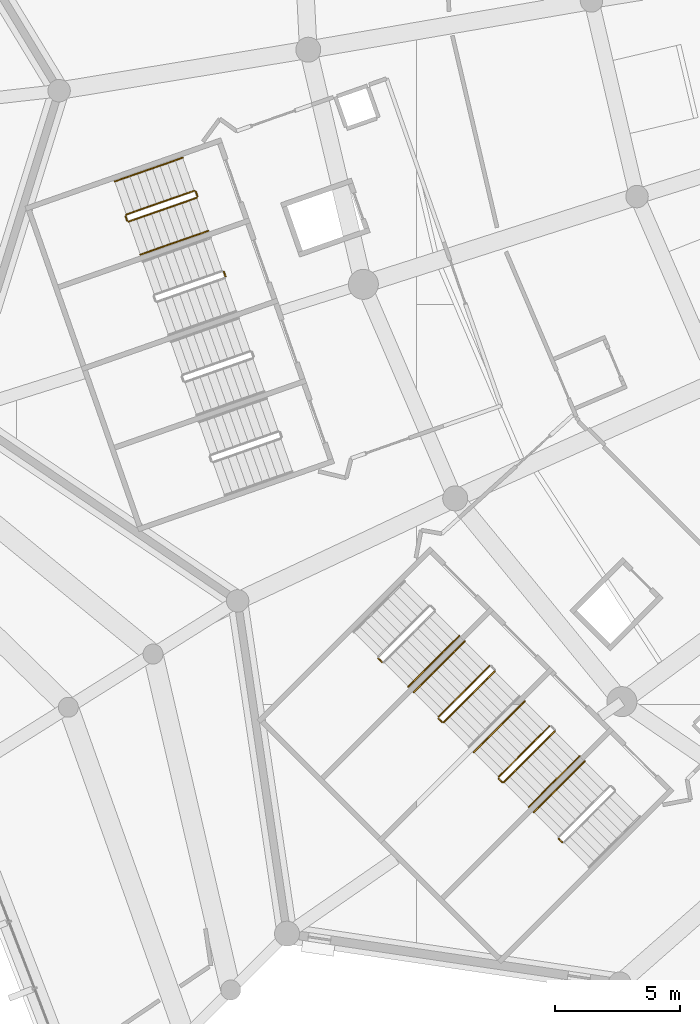
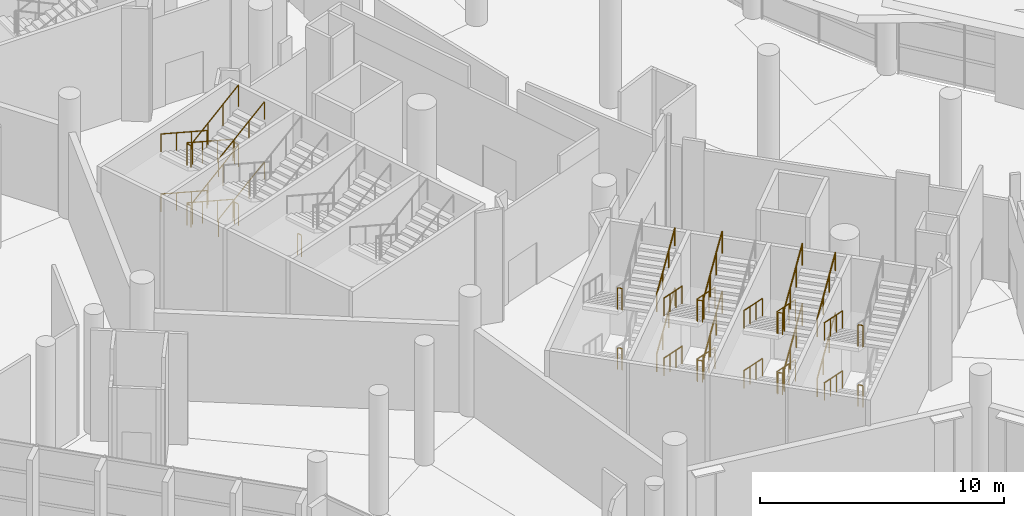
# One storey, part 202 of 249: 39 railings.
"""IFC4 building model written with IfcOpenShell, lengths in metres."""

from ifc_helpers import new_model, si_unit, direction, frame, origin, origin_2d, place, context, subcontext, project, spatial, circle, extrude, material, type_object, element, save


model = new_model("IFC4")

# Units and contexts
model_context = context("Model", 3, precision=1e-05, world=origin(), true_north=direction((0.0, 1.0)))
body_context = subcontext(model_context, "Body", "Model", "MODEL_VIEW")
ifc_project = project(units=[si_unit("LENGTHUNIT", "METRE"), si_unit("AREAUNIT", "SQUARE_METRE"), si_unit("VOLUMEUNIT", "CUBIC_METRE"), si_unit("PLANEANGLEUNIT", "RADIAN"), si_unit("MASSUNIT", "GRAM", prefix="KILO")], contexts=[model_context])

# Site, building, storey
site_placement = place(None, origin())
site = spatial("IfcSite", under=ifc_project, at=site_placement, CompositionType="ELEMENT")
building_placement = place(site_placement, origin())
building = spatial("IfcBuilding", under=site, at=building_placement, Name="Meseta Stadium", CompositionType="ELEMENT")
storey_placement = place(building_placement, frame((0.0, 0.0, 12.0)))
storey = spatial("IfcBuildingStorey", under=building, at=storey_placement, Name="L02", CompositionType="ELEMENT", Elevation=12.0)

# Railings
ifc_material_1 = material(Name="Steel S355", Category="steel")
railing_type_1 = type_object("IfcRailingType", Name="Stair guard 1100", PredefinedType="GUARDRAIL", material=ifc_material_1)
railing_1_placement = place(storey_placement, frame((-88.88720703125, -59.44482421875, 0.14990234375)))
element("IfcRailing", 1, at=railing_1_placement, inside=storey, type_object=railing_type_1, Name="ST77 L02 guard 1", PredefinedType="GUARDRAIL", context=body_context, shape_type="SweptSolid", body=[
    extrude(circle(Radius=0.02392578125, at=origin_2d()), frame((0.0, 0.0, 1.076171875), z_axis=(-0.854649344405, -0.299031328765, 0.42444641891), x_axis=(0.330256026668, -0.943891390388, 0.0)), (0.0, 0.0, 1.0), 3.180908203125),
    extrude(circle(Radius=0.02099609375, at=origin_2d()), origin(), (0.0, 0.0, 1.0), 1.052001953125),
    extrude(circle(Radius=0.02099609375, at=origin_2d()), frame((-0.90625, -0.317138671875, 0.449951171875)), (0.0, 0.0, 1.0), 1.052001953125),
    extrude(circle(Radius=0.02099609375, at=origin_2d()), frame((-1.812255859375, -0.634033203125, 0.900146484375)), (0.0, 0.0, 1.0), 1.052001953125),
    extrude(circle(Radius=0.02099609375, at=origin_2d()), frame((-2.718505859375, -0.951171875, 1.35009765625)), (0.0, 0.0, 1.0), 1.052001953125),
])
railing_2_placement = place(storey_placement, frame((-91.63623046875, -60.459716796875, 1.5)))
element("IfcRailing", 2, at=railing_2_placement, inside=storey, type_object=railing_type_1, Name="ST77 L02 guard 2", PredefinedType="GUARDRAIL", context=body_context, shape_type="SweptSolid", body=[
    extrude(circle(Radius=0.02392578125, at=origin_2d()), frame((0.0, 0.0, 1.076171875), z_axis=(0.329751946816, -0.944067610699, 0.0), x_axis=(0.944067610699, 0.329751946816, 0.0)), (0.0, 0.0, 1.0), 0.199951171875),
    extrude(circle(Radius=0.02099609375, at=origin_2d()), origin(), (0.0, 0.0, 1.0), 1.052001953125),
    extrude(circle(Radius=0.02099609375, at=origin_2d()), frame((0.06591796875, -0.188720703125, 0.0)), (0.0, 0.0, 1.0), 1.052001953125),
])
railing_3_placement = place(storey_placement, frame((-91.506591796875, -60.67919921875, 1.64990234375)))
element("IfcRailing", 3, at=railing_3_placement, inside=storey, type_object=railing_type_1, Name="ST77 L02 guard 3", PredefinedType="GUARDRAIL", context=body_context, shape_type="SweptSolid", body=[
    extrude(circle(Radius=0.02392578125, at=origin_2d()), frame((0.0, 0.0, 1.076171875), z_axis=(0.854649344405, 0.299031328765, 0.42444641891), x_axis=(-0.330256026668, 0.943891390388, 0.0)), (0.0, 0.0, 1.0), 3.180908203125),
    extrude(circle(Radius=0.02099609375, at=origin_2d()), origin(), (0.0, 0.0, 1.0), 1.052001953125),
    extrude(circle(Radius=0.02099609375, at=origin_2d()), frame((0.90625, 0.317138671875, 0.449951171875)), (0.0, 0.0, 1.0), 1.052001953125),
    extrude(circle(Radius=0.02099609375, at=origin_2d()), frame((1.812255859375, 0.634033203125, 0.900146484375)), (0.0, 0.0, 1.0), 1.052001953125),
    extrude(circle(Radius=0.02099609375, at=origin_2d()), frame((2.718505859375, 0.951171875, 1.35009765625)), (0.0, 0.0, 1.0), 1.052001953125),
])
railing_4_placement = place(storey_placement, frame((-88.823486328125, -59.475341796875, 3.0)))
element("IfcRailing", 4, at=railing_4_placement, inside=storey, type_object=railing_type_1, Name="ST77 L02 guard 4", PredefinedType="GUARDRAIL", context=body_context, shape_type="SweptSolid", body=[
    extrude(circle(Radius=0.02392578125, at=origin_2d()), frame((0.0, 0.0, 1.076171875), z_axis=(0.329372156318, -0.944200181446, 0.0), x_axis=(0.944200181446, 0.329372156318, 0.0)), (0.0, 0.0, 1.0), 0.2001953125),
    extrude(circle(Radius=0.02099609375, at=origin_2d()), origin(), (0.0, 0.0, 1.0), 1.052001953125),
    extrude(circle(Radius=0.02099609375, at=origin_2d()), frame((0.06591796875, -0.18896484375, 0.0)), (0.0, 0.0, 1.0), 1.052001953125),
])
railing_5_placement = place(storey_placement, frame((-88.88720703125, -59.44482421875, 3.14990234375)))
element("IfcRailing", 5, at=railing_5_placement, inside=storey, type_object=railing_type_1, Name="ST77 L02 guard 5", PredefinedType="GUARDRAIL", context=body_context, shape_type="SweptSolid", body=[
    extrude(circle(Radius=0.02392578125, at=origin_2d()), frame((0.0, 0.0, 1.076171875), z_axis=(-0.854649344405, -0.299031328765, 0.42444641891), x_axis=(0.330256026668, -0.943891390388, 0.0)), (0.0, 0.0, 1.0), 3.180908203125),
    extrude(circle(Radius=0.02099609375, at=origin_2d()), origin(), (0.0, 0.0, 1.0), 1.052001953125),
    extrude(circle(Radius=0.02099609375, at=origin_2d()), frame((-0.90625, -0.317138671875, 0.449951171875)), (0.0, 0.0, 1.0), 1.052001953125),
    extrude(circle(Radius=0.02099609375, at=origin_2d()), frame((-1.812255859375, -0.634033203125, 0.900146484375)), (0.0, 0.0, 1.0), 1.052001953125),
    extrude(circle(Radius=0.02099609375, at=origin_2d()), frame((-2.718505859375, -0.951171875, 1.35009765625)), (0.0, 0.0, 1.0), 1.052001953125),
])
railing_6_placement = place(storey_placement, frame((-91.63623046875, -60.459716796875, 4.5)))
element("IfcRailing", 6, at=railing_6_placement, inside=storey, type_object=railing_type_1, Name="ST77 L02 guard 6", PredefinedType="GUARDRAIL", context=body_context, shape_type="SweptSolid", body=[
    extrude(circle(Radius=0.02392578125, at=origin_2d()), frame((0.0, 0.0, 1.076171875), z_axis=(0.329751946816, -0.944067610699, 0.0), x_axis=(0.944067610699, 0.329751946816, 0.0)), (0.0, 0.0, 1.0), 0.199951171875),
    extrude(circle(Radius=0.02099609375, at=origin_2d()), origin(), (0.0, 0.0, 1.0), 1.052001953125),
    extrude(circle(Radius=0.02099609375, at=origin_2d()), frame((0.06591796875, -0.188720703125, 0.0)), (0.0, 0.0, 1.0), 1.052001953125),
])
railing_7_placement = place(storey_placement, frame((-91.506591796875, -60.67919921875, 4.64990234375)))
element("IfcRailing", 7, at=railing_7_placement, inside=storey, type_object=railing_type_1, Name="ST77 L02 guard 7", PredefinedType="GUARDRAIL", context=body_context, shape_type="SweptSolid", body=[
    extrude(circle(Radius=0.02392578125, at=origin_2d()), frame((0.0, 0.0, 1.076171875), z_axis=(0.854649344405, 0.299031328765, 0.42444641891), x_axis=(-0.330256026668, 0.943891390388, 0.0)), (0.0, 0.0, 1.0), 3.180908203125),
    extrude(circle(Radius=0.02099609375, at=origin_2d()), origin(), (0.0, 0.0, 1.0), 1.052001953125),
    extrude(circle(Radius=0.02099609375, at=origin_2d()), frame((0.90625, 0.317138671875, 0.449951171875)), (0.0, 0.0, 1.0), 1.052001953125),
    extrude(circle(Radius=0.02099609375, at=origin_2d()), frame((1.812255859375, 0.634033203125, 0.900146484375)), (0.0, 0.0, 1.0), 1.052001953125),
    extrude(circle(Radius=0.02099609375, at=origin_2d()), frame((2.718505859375, 0.951171875, 1.35009765625)), (0.0, 0.0, 1.0), 1.052001953125),
])
railing_8_placement = place(storey_placement, frame((-88.823486328125, -59.475341796875, 0.0)))
element("IfcRailing", 8, at=railing_8_placement, inside=storey, type_object=railing_type_1, Name="ST77 L02 guard 8", PredefinedType="GUARDRAIL", context=body_context, shape_type="SweptSolid", body=[
    extrude(circle(Radius=0.02392578125, at=origin_2d()), frame((0.0, 0.0, 1.076171875), z_axis=(0.329372156318, -0.944200181446, 0.0), x_axis=(0.944200181446, 0.329372156318, 0.0)), (0.0, 0.0, 1.0), 0.2001953125),
    extrude(circle(Radius=0.02099609375, at=origin_2d()), origin(), (0.0, 0.0, 1.0), 1.052001953125),
    extrude(circle(Radius=0.02099609375, at=origin_2d()), frame((0.06591796875, -0.18896484375, 0.0)), (0.0, 0.0, 1.0), 1.052001953125),
])
railing_9_placement = place(storey_placement, frame((-87.70068359375, -62.6845703125, 0.0)))
element("IfcRailing", 9, at=railing_9_placement, inside=storey, type_object=railing_type_1, Name="ST78 L02 guard 8", PredefinedType="GUARDRAIL", context=body_context, shape_type="SweptSolid", body=[
    extrude(circle(Radius=0.02392578125, at=origin_2d()), frame((0.0, 0.0, 1.076171875), z_axis=(0.330459055601, -0.943820328543, 0.0), x_axis=(0.943820328543, 0.330459055601, 0.0)), (0.0, 0.0, 1.0), 0.2001953125),
    extrude(circle(Radius=0.02099609375, at=origin_2d()), origin(), (0.0, 0.0, 1.0), 1.052001953125),
    extrude(circle(Radius=0.02099609375, at=origin_2d()), frame((0.066162109375, -0.18896484375, 0.0)), (0.0, 0.0, 1.0), 1.052001953125),
])
for number, where, name in (
    (10, (-81.51806640625, -78.1640625, 1.5), "ST81 L02 guard 2"),
    (11, (-81.51806640625, -78.1640625, 4.5), "ST81 L02 guard 6"),
):
    element("IfcRailing", number, at=place(storey_placement, frame(where)), inside=storey, type_object=railing_type_1, Name=name, PredefinedType="GUARDRAIL", context=body_context, shape_type="SweptSolid", body=[
        extrude(circle(Radius=0.02392578125, at=origin_2d()), frame((0.0, 0.0, 1.076171875), z_axis=(0.707716618519, -0.706496417452, 0.0), x_axis=(0.706496417452, 0.707716618519, 0.0)), (0.0, 0.0, 1.0), 0.2001953125),
        extrude(circle(Radius=0.02099609375, at=origin_2d()), origin(), (0.0, 0.0, 1.0), 1.052001953125),
        extrude(circle(Radius=0.02099609375, at=origin_2d()), frame((0.1416015625, -0.141357421875, 0.0)), (0.0, 0.0, 1.0), 1.052001953125),
    ])
railing_10_placement = place(storey_placement, frame((-77.077392578125, -78.4609375, 0.14990234375)))
element("IfcRailing", 12, at=railing_10_placement, inside=storey, type_object=railing_type_1, Name="ST82 L02 guard 1", PredefinedType="GUARDRAIL", context=body_context, shape_type="SweptSolid", body=[
    extrude(circle(Radius=0.02392578125, at=origin_2d()), frame((0.0, 0.0, 1.076171875), z_axis=(-0.640211215754, -0.640287970486, 0.424453665402), x_axis=(0.707149164786, -0.707064395047, 0.0)), (0.0, 0.0, 1.0), 3.180908203125),
    extrude(circle(Radius=0.02099609375, at=origin_2d()), origin(), (0.0, 0.0, 1.0), 1.052001953125),
    extrude(circle(Radius=0.02099609375, at=origin_2d()), frame((-0.6787109375, -0.678955078125, 0.449951171875)), (0.0, 0.0, 1.0), 1.052001953125),
    extrude(circle(Radius=0.02099609375, at=origin_2d()), frame((-1.357666015625, -1.357666015625, 0.900146484375)), (0.0, 0.0, 1.0), 1.052001953125),
    extrude(circle(Radius=0.02099609375, at=origin_2d()), frame((-2.036376953125, -2.03662109375, 1.35009765625)), (0.0, 0.0, 1.0), 1.052001953125),
])
railing_11_placement = place(storey_placement, frame((-79.11376953125, -80.568115234375, 1.5)))
element("IfcRailing", 13, at=railing_11_placement, inside=storey, type_object=railing_type_1, Name="ST82 L02 guard 2", PredefinedType="GUARDRAIL", context=body_context, shape_type="SweptSolid", body=[
    extrude(circle(Radius=0.02392578125, at=origin_2d()), frame((0.0, 0.0, 1.076171875), z_axis=(0.706496417452, -0.707716618519, 0.0), x_axis=(0.707716618519, 0.706496417452, 0.0)), (0.0, 0.0, 1.0), 0.2001953125),
    extrude(circle(Radius=0.02099609375, at=origin_2d()), origin(), (0.0, 0.0, 1.0), 1.052001953125),
    extrude(circle(Radius=0.02099609375, at=origin_2d()), frame((0.141357421875, -0.1416015625, 0.0)), (0.0, 0.0, 1.0), 1.052001953125),
])
railing_12_placement = place(storey_placement, frame((-78.901611328125, -80.709716796875, 1.64990234375)))
element("IfcRailing", 14, at=railing_12_placement, inside=storey, type_object=railing_type_1, Name="ST82 L02 guard 3", PredefinedType="GUARDRAIL", context=body_context, shape_type="SweptSolid", body=[
    extrude(circle(Radius=0.02392578125, at=origin_2d()), frame((0.0, 0.0, 1.076171875), z_axis=(0.640211215754, 0.640287970486, 0.424453665402), x_axis=(-0.707149164786, 0.707064395047, 0.0)), (0.0, 0.0, 1.0), 3.180908203125),
    extrude(circle(Radius=0.02099609375, at=origin_2d()), origin(), (0.0, 0.0, 1.0), 1.052001953125),
    extrude(circle(Radius=0.02099609375, at=origin_2d()), frame((0.6787109375, 0.678955078125, 0.449951171875)), (0.0, 0.0, 1.0), 1.052001953125),
    extrude(circle(Radius=0.02099609375, at=origin_2d()), frame((1.357666015625, 1.357666015625, 0.900146484375)), (0.0, 0.0, 1.0), 1.052001953125),
    extrude(circle(Radius=0.02099609375, at=origin_2d()), frame((2.036376953125, 2.03662109375, 1.35009765625)), (0.0, 0.0, 1.0), 1.052001953125),
])
railing_13_placement = place(storey_placement, frame((-77.077392578125, -78.4609375, 3.14990234375)))
element("IfcRailing", 15, at=railing_13_placement, inside=storey, type_object=railing_type_1, Name="ST82 L02 guard 5", PredefinedType="GUARDRAIL", context=body_context, shape_type="SweptSolid", body=[
    extrude(circle(Radius=0.02392578125, at=origin_2d()), frame((0.0, 0.0, 1.076171875), z_axis=(-0.640211215754, -0.640287970486, 0.424453665402), x_axis=(0.707149164786, -0.707064395047, 0.0)), (0.0, 0.0, 1.0), 3.180908203125),
    extrude(circle(Radius=0.02099609375, at=origin_2d()), origin(), (0.0, 0.0, 1.0), 1.052001953125),
    extrude(circle(Radius=0.02099609375, at=origin_2d()), frame((-0.6787109375, -0.678955078125, 0.449951171875)), (0.0, 0.0, 1.0), 1.052001953125),
    extrude(circle(Radius=0.02099609375, at=origin_2d()), frame((-1.357666015625, -1.357666015625, 0.900146484375)), (0.0, 0.0, 1.0), 1.052001953125),
    extrude(circle(Radius=0.02099609375, at=origin_2d()), frame((-2.036376953125, -2.03662109375, 1.35009765625)), (0.0, 0.0, 1.0), 1.052001953125),
])
railing_14_placement = place(storey_placement, frame((-79.11376953125, -80.568115234375, 4.5)))
element("IfcRailing", 16, at=railing_14_placement, inside=storey, type_object=railing_type_1, Name="ST82 L02 guard 6", PredefinedType="GUARDRAIL", context=body_context, shape_type="SweptSolid", body=[
    extrude(circle(Radius=0.02392578125, at=origin_2d()), frame((0.0, 0.0, 1.076171875), z_axis=(0.706496417452, -0.707716618519, 0.0), x_axis=(0.707716618519, 0.706496417452, 0.0)), (0.0, 0.0, 1.0), 0.2001953125),
    extrude(circle(Radius=0.02099609375, at=origin_2d()), origin(), (0.0, 0.0, 1.0), 1.052001953125),
    extrude(circle(Radius=0.02099609375, at=origin_2d()), frame((0.141357421875, -0.1416015625, 0.0)), (0.0, 0.0, 1.0), 1.052001953125),
])
railing_15_placement = place(storey_placement, frame((-78.901611328125, -80.709716796875, 4.64990234375)))
element("IfcRailing", 17, at=railing_15_placement, inside=storey, type_object=railing_type_1, Name="ST82 L02 guard 7", PredefinedType="GUARDRAIL", context=body_context, shape_type="SweptSolid", body=[
    extrude(circle(Radius=0.02392578125, at=origin_2d()), frame((0.0, 0.0, 1.076171875), z_axis=(0.640211215754, 0.640287970486, 0.424453665402), x_axis=(-0.707149164786, 0.707064395047, 0.0)), (0.0, 0.0, 1.0), 3.180908203125),
    extrude(circle(Radius=0.02099609375, at=origin_2d()), origin(), (0.0, 0.0, 1.0), 1.052001953125),
    extrude(circle(Radius=0.02099609375, at=origin_2d()), frame((0.6787109375, 0.678955078125, 0.449951171875)), (0.0, 0.0, 1.0), 1.052001953125),
    extrude(circle(Radius=0.02099609375, at=origin_2d()), frame((1.357666015625, 1.357666015625, 0.900146484375)), (0.0, 0.0, 1.0), 1.052001953125),
    extrude(circle(Radius=0.02099609375, at=origin_2d()), frame((2.036376953125, 2.03662109375, 1.35009765625)), (0.0, 0.0, 1.0), 1.052001953125),
])
railing_16_placement = place(storey_placement, frame((-74.673095703125, -80.865234375, 0.14990234375)))
element("IfcRailing", 18, at=railing_16_placement, inside=storey, type_object=railing_type_1, Name="ST83 L02 guard 1", PredefinedType="GUARDRAIL", context=body_context, shape_type="SweptSolid", body=[
    extrude(circle(Radius=0.02392578125, at=origin_2d()), frame((0.0, 0.0, 1.076171875), z_axis=(-0.640287970486, -0.640211215754, 0.424453665402), x_axis=(0.707064395047, -0.707149164786, 0.0)), (0.0, 0.0, 1.0), 3.180908203125),
    extrude(circle(Radius=0.02099609375, at=origin_2d()), origin(), (0.0, 0.0, 1.0), 1.052001953125),
    extrude(circle(Radius=0.02099609375, at=origin_2d()), frame((-0.678955078125, -0.6787109375, 0.449951171875)), (0.0, 0.0, 1.0), 1.052001953125),
    extrude(circle(Radius=0.02099609375, at=origin_2d()), frame((-1.357666015625, -1.357666015625, 0.900146484375)), (0.0, 0.0, 1.0), 1.052001953125),
    extrude(circle(Radius=0.02099609375, at=origin_2d()), frame((-2.03662109375, -2.036376953125, 1.35009765625)), (0.0, 0.0, 1.0), 1.052001953125),
])
railing_17_placement = place(storey_placement, frame((-76.709716796875, -82.972412109375, 1.5)))
element("IfcRailing", 19, at=railing_17_placement, inside=storey, type_object=railing_type_1, Name="ST83 L02 guard 2", PredefinedType="GUARDRAIL", context=body_context, shape_type="SweptSolid", body=[
    extrude(circle(Radius=0.02392578125, at=origin_2d()), frame((0.0, 0.0, 1.076171875), z_axis=(0.707716618519, -0.706496417452, 0.0), x_axis=(0.706496417452, 0.707716618519, 0.0)), (0.0, 0.0, 1.0), 0.2001953125),
    extrude(circle(Radius=0.02099609375, at=origin_2d()), origin(), (0.0, 0.0, 1.0), 1.052001953125),
    extrude(circle(Radius=0.02099609375, at=origin_2d()), frame((0.1416015625, -0.141357421875, 0.0)), (0.0, 0.0, 1.0), 1.052001953125),
])
railing_18_placement = place(storey_placement, frame((-76.49755859375, -83.11376953125, 1.64990234375)))
element("IfcRailing", 20, at=railing_18_placement, inside=storey, type_object=railing_type_1, Name="ST83 L02 guard 3", PredefinedType="GUARDRAIL", context=body_context, shape_type="SweptSolid", body=[
    extrude(circle(Radius=0.02392578125, at=origin_2d()), frame((0.0, 0.0, 1.076171875), z_axis=(0.640287970486, 0.640211215754, 0.424453665402), x_axis=(-0.707064395047, 0.707149164786, 0.0)), (0.0, 0.0, 1.0), 3.180908203125),
    extrude(circle(Radius=0.02099609375, at=origin_2d()), origin(), (0.0, 0.0, 1.0), 1.052001953125),
    extrude(circle(Radius=0.02099609375, at=origin_2d()), frame((0.678955078125, 0.6787109375, 0.449951171875)), (0.0, 0.0, 1.0), 1.052001953125),
    extrude(circle(Radius=0.02099609375, at=origin_2d()), frame((1.357666015625, 1.357666015625, 0.900146484375)), (0.0, 0.0, 1.0), 1.052001953125),
    extrude(circle(Radius=0.02099609375, at=origin_2d()), frame((2.03662109375, 2.036376953125, 1.35009765625)), (0.0, 0.0, 1.0), 1.052001953125),
])
railing_19_placement = place(storey_placement, frame((-74.673095703125, -80.865234375, 3.14990234375)))
element("IfcRailing", 21, at=railing_19_placement, inside=storey, type_object=railing_type_1, Name="ST83 L02 guard 5", PredefinedType="GUARDRAIL", context=body_context, shape_type="SweptSolid", body=[
    extrude(circle(Radius=0.02392578125, at=origin_2d()), frame((0.0, 0.0, 1.076171875), z_axis=(-0.640287970486, -0.640211215754, 0.424453665402), x_axis=(0.707064395047, -0.707149164786, 0.0)), (0.0, 0.0, 1.0), 3.180908203125),
    extrude(circle(Radius=0.02099609375, at=origin_2d()), origin(), (0.0, 0.0, 1.0), 1.052001953125),
    extrude(circle(Radius=0.02099609375, at=origin_2d()), frame((-0.678955078125, -0.6787109375, 0.449951171875)), (0.0, 0.0, 1.0), 1.052001953125),
    extrude(circle(Radius=0.02099609375, at=origin_2d()), frame((-1.357666015625, -1.357666015625, 0.900146484375)), (0.0, 0.0, 1.0), 1.052001953125),
    extrude(circle(Radius=0.02099609375, at=origin_2d()), frame((-2.03662109375, -2.036376953125, 1.35009765625)), (0.0, 0.0, 1.0), 1.052001953125),
])
railing_20_placement = place(storey_placement, frame((-76.709716796875, -82.972412109375, 4.5)))
element("IfcRailing", 22, at=railing_20_placement, inside=storey, type_object=railing_type_1, Name="ST83 L02 guard 6", PredefinedType="GUARDRAIL", context=body_context, shape_type="SweptSolid", body=[
    extrude(circle(Radius=0.02392578125, at=origin_2d()), frame((0.0, 0.0, 1.076171875), z_axis=(0.707716618519, -0.706496417452, 0.0), x_axis=(0.706496417452, 0.707716618519, 0.0)), (0.0, 0.0, 1.0), 0.2001953125),
    extrude(circle(Radius=0.02099609375, at=origin_2d()), origin(), (0.0, 0.0, 1.0), 1.052001953125),
    extrude(circle(Radius=0.02099609375, at=origin_2d()), frame((0.1416015625, -0.141357421875, 0.0)), (0.0, 0.0, 1.0), 1.052001953125),
])
railing_21_placement = place(storey_placement, frame((-76.49755859375, -83.11376953125, 4.64990234375)))
element("IfcRailing", 23, at=railing_21_placement, inside=storey, type_object=railing_type_1, Name="ST83 L02 guard 7", PredefinedType="GUARDRAIL", context=body_context, shape_type="SweptSolid", body=[
    extrude(circle(Radius=0.02392578125, at=origin_2d()), frame((0.0, 0.0, 1.076171875), z_axis=(0.640287970486, 0.640211215754, 0.424453665402), x_axis=(-0.707064395047, 0.707149164786, 0.0)), (0.0, 0.0, 1.0), 3.180908203125),
    extrude(circle(Radius=0.02099609375, at=origin_2d()), origin(), (0.0, 0.0, 1.0), 1.052001953125),
    extrude(circle(Radius=0.02099609375, at=origin_2d()), frame((0.678955078125, 0.6787109375, 0.449951171875)), (0.0, 0.0, 1.0), 1.052001953125),
    extrude(circle(Radius=0.02099609375, at=origin_2d()), frame((1.357666015625, 1.357666015625, 0.900146484375)), (0.0, 0.0, 1.0), 1.052001953125),
    extrude(circle(Radius=0.02099609375, at=origin_2d()), frame((2.03662109375, 2.036376953125, 1.35009765625)), (0.0, 0.0, 1.0), 1.052001953125),
])
for number, where, name in (
    (24, (-74.305419921875, -85.37646484375, 1.5), "ST84 L02 guard 2"),
    (25, (-74.305419921875, -85.37646484375, 4.5), "ST84 L02 guard 6"),
):
    element("IfcRailing", number, at=place(storey_placement, frame(where)), inside=storey, type_object=railing_type_1, Name=name, PredefinedType="GUARDRAIL", context=body_context, shape_type="SweptSolid", body=[
        extrude(circle(Radius=0.02392578125, at=origin_2d()), frame((0.0, 0.0, 1.076171875), z_axis=(0.706496417452, -0.707716618519, 0.0), x_axis=(0.707716618519, 0.706496417452, 0.0)), (0.0, 0.0, 1.0), 0.2001953125),
        extrude(circle(Radius=0.02099609375, at=origin_2d()), origin(), (0.0, 0.0, 1.0), 1.052001953125),
        extrude(circle(Radius=0.02099609375, at=origin_2d()), frame((0.141357421875, -0.1416015625, 0.0)), (0.0, 0.0, 1.0), 1.052001953125),
    ])
ifc_material_2 = material(Name="Steel S355", Category="steel")
railing_type_2 = type_object("IfcRailingType", Name="Stair handrail 900", PredefinedType="HANDRAIL", material=ifc_material_2)
railing_22_placement = place(storey_placement, frame((-89.349609375, -58.123291015625, 0.14990234375)))
element("IfcRailing", 26, at=railing_22_placement, inside=storey, type_object=railing_type_2, Name="ST77 L02 handrail 1", PredefinedType="HANDRAIL", context=body_context, shape_type="SweptSolid", body=[
    extrude(circle(Radius=0.02392578125, at=origin_2d()), frame((0.0, 0.0, 0.8759765625), z_axis=(-0.854649344405, -0.299031328765, 0.42444641891), x_axis=(0.330256026668, -0.943891390388, 0.0)), (0.0, 0.0, 1.0), 3.180908203125),
    extrude(circle(Radius=0.02099609375, at=origin_2d()), origin(), (0.0, 0.0, 1.0), 0.851806640625),
    extrude(circle(Radius=0.02099609375, at=origin_2d()), frame((-0.90625, -0.317138671875, 0.449951171875)), (0.0, 0.0, 1.0), 0.851806640625),
    extrude(circle(Radius=0.02099609375, at=origin_2d()), frame((-1.812255859375, -0.634033203125, 0.900146484375)), (0.0, 0.0, 1.0), 0.851806640625),
    extrude(circle(Radius=0.02099609375, at=origin_2d()), frame((-2.718505859375, -0.951171875, 1.35009765625)), (0.0, 0.0, 1.0), 0.851806640625),
])
railing_23_placement = place(storey_placement, frame((-91.044189453125, -62.00048828125, 1.64990234375)))
element("IfcRailing", 27, at=railing_23_placement, inside=storey, type_object=railing_type_2, Name="ST77 L02 handrail 2", PredefinedType="HANDRAIL", context=body_context, shape_type="SweptSolid", body=[
    extrude(circle(Radius=0.02392578125, at=origin_2d()), frame((0.0, 0.0, 0.8759765625), z_axis=(0.854649344405, 0.299031328765, 0.42444641891), x_axis=(-0.330256026668, 0.943891390388, 0.0)), (0.0, 0.0, 1.0), 3.180908203125),
    extrude(circle(Radius=0.02099609375, at=origin_2d()), origin(), (0.0, 0.0, 1.0), 0.851806640625),
    extrude(circle(Radius=0.02099609375, at=origin_2d()), frame((0.90625, 0.317138671875, 0.449951171875)), (0.0, 0.0, 1.0), 0.851806640625),
    extrude(circle(Radius=0.02099609375, at=origin_2d()), frame((1.812255859375, 0.634033203125, 0.900146484375)), (0.0, 0.0, 1.0), 0.851806640625),
    extrude(circle(Radius=0.02099609375, at=origin_2d()), frame((2.718505859375, 0.951171875, 1.35009765625)), (0.0, 0.0, 1.0), 0.851806640625),
])
railing_24_placement = place(storey_placement, frame((-89.349609375, -58.123291015625, 3.14990234375)))
element("IfcRailing", 28, at=railing_24_placement, inside=storey, type_object=railing_type_2, Name="ST77 L02 handrail 3", PredefinedType="HANDRAIL", context=body_context, shape_type="SweptSolid", body=[
    extrude(circle(Radius=0.02392578125, at=origin_2d()), frame((0.0, 0.0, 0.8759765625), z_axis=(-0.854649344405, -0.299031328765, 0.42444641891), x_axis=(0.330256026668, -0.943891390388, 0.0)), (0.0, 0.0, 1.0), 3.180908203125),
    extrude(circle(Radius=0.02099609375, at=origin_2d()), origin(), (0.0, 0.0, 1.0), 0.851806640625),
    extrude(circle(Radius=0.02099609375, at=origin_2d()), frame((-0.90625, -0.317138671875, 0.449951171875)), (0.0, 0.0, 1.0), 0.851806640625),
    extrude(circle(Radius=0.02099609375, at=origin_2d()), frame((-1.812255859375, -0.634033203125, 0.900146484375)), (0.0, 0.0, 1.0), 0.851806640625),
    extrude(circle(Radius=0.02099609375, at=origin_2d()), frame((-2.718505859375, -0.951171875, 1.35009765625)), (0.0, 0.0, 1.0), 0.851806640625),
])
railing_25_placement = place(storey_placement, frame((-91.044189453125, -62.00048828125, 4.64990234375)))
element("IfcRailing", 29, at=railing_25_placement, inside=storey, type_object=railing_type_2, Name="ST77 L02 handrail 4", PredefinedType="HANDRAIL", context=body_context, shape_type="SweptSolid", body=[
    extrude(circle(Radius=0.02392578125, at=origin_2d()), frame((0.0, 0.0, 0.8759765625), z_axis=(0.854649344405, 0.299031328765, 0.42444641891), x_axis=(-0.330256026668, 0.943891390388, 0.0)), (0.0, 0.0, 1.0), 3.180908203125),
    extrude(circle(Radius=0.02099609375, at=origin_2d()), origin(), (0.0, 0.0, 1.0), 0.851806640625),
    extrude(circle(Radius=0.02099609375, at=origin_2d()), frame((0.90625, 0.317138671875, 0.449951171875)), (0.0, 0.0, 1.0), 0.851806640625),
    extrude(circle(Radius=0.02099609375, at=origin_2d()), frame((1.812255859375, 0.634033203125, 0.900146484375)), (0.0, 0.0, 1.0), 0.851806640625),
    extrude(circle(Radius=0.02099609375, at=origin_2d()), frame((2.718505859375, 0.951171875, 1.35009765625)), (0.0, 0.0, 1.0), 0.851806640625),
])
for number, where, name in (
    (30, (-80.31591796875, -79.29541015625, 1.64990234375), "ST81 L02 handrail 2"),
    (31, (-80.31591796875, -79.29541015625, 4.64990234375), "ST81 L02 handrail 4"),
):
    element("IfcRailing", number, at=place(storey_placement, frame(where)), inside=storey, type_object=railing_type_2, Name=name, PredefinedType="HANDRAIL", context=body_context, shape_type="SweptSolid", body=[
        extrude(circle(Radius=0.02392578125, at=origin_2d()), frame((0.0, 0.0, 0.8759765625), z_axis=(0.640242679452, 0.640242679452, 0.424474525521), x_axis=(-0.707106781187, 0.707106781187, 0.0)), (0.0, 0.0, 1.0), 3.1806640625),
        extrude(circle(Radius=0.02099609375, at=origin_2d()), origin(), (0.0, 0.0, 1.0), 0.851806640625),
        extrude(circle(Radius=0.02099609375, at=origin_2d()), frame((0.6787109375, 0.6787109375, 0.449951171875)), (0.0, 0.0, 1.0), 0.851806640625),
        extrude(circle(Radius=0.02099609375, at=origin_2d()), frame((1.357666015625, 1.357666015625, 0.900146484375)), (0.0, 0.0, 1.0), 0.851806640625),
        extrude(circle(Radius=0.02099609375, at=origin_2d()), frame((2.036376953125, 2.036376953125, 1.35009765625)), (0.0, 0.0, 1.0), 0.851806640625),
    ])
for number, where, name in (
    (32, (-78.0673828125, -77.47119140625, 0.14990234375), "ST82 L02 handrail 1"),
    (33, (-78.0673828125, -77.47119140625, 3.14990234375), "ST82 L02 handrail 3"),
):
    element("IfcRailing", number, at=place(storey_placement, frame(where)), inside=storey, type_object=railing_type_2, Name=name, PredefinedType="HANDRAIL", context=body_context, shape_type="SweptSolid", body=[
        extrude(circle(Radius=0.02392578125, at=origin_2d()), frame((0.0, 0.0, 0.8759765625), z_axis=(-0.640242679452, -0.640242679452, 0.424474525521), x_axis=(0.707106781187, -0.707106781187, 0.0)), (0.0, 0.0, 1.0), 3.1806640625),
        extrude(circle(Radius=0.02099609375, at=origin_2d()), origin(), (0.0, 0.0, 1.0), 0.851806640625),
        extrude(circle(Radius=0.02099609375, at=origin_2d()), frame((-0.6787109375, -0.6787109375, 0.449951171875)), (0.0, 0.0, 1.0), 0.851806640625),
        extrude(circle(Radius=0.02099609375, at=origin_2d()), frame((-1.357666015625, -1.357666015625, 0.900146484375)), (0.0, 0.0, 1.0), 0.851806640625),
        extrude(circle(Radius=0.02099609375, at=origin_2d()), frame((-2.036376953125, -2.036376953125, 1.35009765625)), (0.0, 0.0, 1.0), 0.851806640625),
    ])
railing_26_placement = place(storey_placement, frame((-75.6630859375, -79.875244140625, 0.14990234375)))
element("IfcRailing", 34, at=railing_26_placement, inside=storey, type_object=railing_type_2, Name="ST83 L02 handrail 1", PredefinedType="HANDRAIL", context=body_context, shape_type="SweptSolid", body=[
    extrude(circle(Radius=0.02392578125, at=origin_2d()), frame((0.0, 0.0, 0.8759765625), z_axis=(-0.640287970486, -0.640211215754, 0.424453665402), x_axis=(0.707064395047, -0.707149164786, 0.0)), (0.0, 0.0, 1.0), 3.180908203125),
    extrude(circle(Radius=0.02099609375, at=origin_2d()), origin(), (0.0, 0.0, 1.0), 0.851806640625),
    extrude(circle(Radius=0.02099609375, at=origin_2d()), frame((-0.678955078125, -0.6787109375, 0.449951171875)), (0.0, 0.0, 1.0), 0.851806640625),
    extrude(circle(Radius=0.02099609375, at=origin_2d()), frame((-1.357666015625, -1.357666015625, 0.900146484375)), (0.0, 0.0, 1.0), 0.851806640625),
    extrude(circle(Radius=0.02099609375, at=origin_2d()), frame((-2.03662109375, -2.036376953125, 1.35009765625)), (0.0, 0.0, 1.0), 0.851806640625),
])
railing_27_placement = place(storey_placement, frame((-75.507568359375, -84.103759765625, 1.64990234375)))
element("IfcRailing", 35, at=railing_27_placement, inside=storey, type_object=railing_type_2, Name="ST83 L02 handrail 2", PredefinedType="HANDRAIL", context=body_context, shape_type="SweptSolid", body=[
    extrude(circle(Radius=0.02392578125, at=origin_2d()), frame((0.0, 0.0, 0.8759765625), z_axis=(0.640242679452, 0.640242679452, 0.424474525521), x_axis=(-0.707106781187, 0.707106781187, 0.0)), (0.0, 0.0, 1.0), 3.1806640625),
    extrude(circle(Radius=0.02099609375, at=origin_2d()), origin(), (0.0, 0.0, 1.0), 0.851806640625),
    extrude(circle(Radius=0.02099609375, at=origin_2d()), frame((0.6787109375, 0.6787109375, 0.449951171875)), (0.0, 0.0, 1.0), 0.851806640625),
    extrude(circle(Radius=0.02099609375, at=origin_2d()), frame((1.357666015625, 1.357666015625, 0.900146484375)), (0.0, 0.0, 1.0), 0.851806640625),
    extrude(circle(Radius=0.02099609375, at=origin_2d()), frame((2.036376953125, 2.036376953125, 1.35009765625)), (0.0, 0.0, 1.0), 0.851806640625),
])
railing_28_placement = place(storey_placement, frame((-75.6630859375, -79.875244140625, 3.14990234375)))
element("IfcRailing", 36, at=railing_28_placement, inside=storey, type_object=railing_type_2, Name="ST83 L02 handrail 3", PredefinedType="HANDRAIL", context=body_context, shape_type="SweptSolid", body=[
    extrude(circle(Radius=0.02392578125, at=origin_2d()), frame((0.0, 0.0, 0.8759765625), z_axis=(-0.640287970486, -0.640211215754, 0.424453665402), x_axis=(0.707064395047, -0.707149164786, 0.0)), (0.0, 0.0, 1.0), 3.180908203125),
    extrude(circle(Radius=0.02099609375, at=origin_2d()), origin(), (0.0, 0.0, 1.0), 0.851806640625),
    extrude(circle(Radius=0.02099609375, at=origin_2d()), frame((-0.678955078125, -0.6787109375, 0.449951171875)), (0.0, 0.0, 1.0), 0.851806640625),
    extrude(circle(Radius=0.02099609375, at=origin_2d()), frame((-1.357666015625, -1.357666015625, 0.900146484375)), (0.0, 0.0, 1.0), 0.851806640625),
    extrude(circle(Radius=0.02099609375, at=origin_2d()), frame((-2.03662109375, -2.036376953125, 1.35009765625)), (0.0, 0.0, 1.0), 0.851806640625),
])
railing_29_placement = place(storey_placement, frame((-75.507568359375, -84.103759765625, 4.64990234375)))
element("IfcRailing", 37, at=railing_29_placement, inside=storey, type_object=railing_type_2, Name="ST83 L02 handrail 4", PredefinedType="HANDRAIL", context=body_context, shape_type="SweptSolid", body=[
    extrude(circle(Radius=0.02392578125, at=origin_2d()), frame((0.0, 0.0, 0.8759765625), z_axis=(0.640242679452, 0.640242679452, 0.424474525521), x_axis=(-0.707106781187, 0.707106781187, 0.0)), (0.0, 0.0, 1.0), 3.1806640625),
    extrude(circle(Radius=0.02099609375, at=origin_2d()), origin(), (0.0, 0.0, 1.0), 0.851806640625),
    extrude(circle(Radius=0.02099609375, at=origin_2d()), frame((0.6787109375, 0.6787109375, 0.449951171875)), (0.0, 0.0, 1.0), 0.851806640625),
    extrude(circle(Radius=0.02099609375, at=origin_2d()), frame((1.357666015625, 1.357666015625, 0.900146484375)), (0.0, 0.0, 1.0), 0.851806640625),
    extrude(circle(Radius=0.02099609375, at=origin_2d()), frame((2.036376953125, 2.036376953125, 1.35009765625)), (0.0, 0.0, 1.0), 0.851806640625),
])
for number, where, name in (
    (38, (-73.259033203125, -82.279541015625, 0.14990234375), "ST84 L02 handrail 1"),
    (39, (-73.259033203125, -82.279541015625, 3.14990234375), "ST84 L02 handrail 3"),
):
    element("IfcRailing", number, at=place(storey_placement, frame(where)), inside=storey, type_object=railing_type_2, Name=name, PredefinedType="HANDRAIL", context=body_context, shape_type="SweptSolid", body=[
        extrude(circle(Radius=0.02392578125, at=origin_2d()), frame((0.0, 0.0, 0.8759765625), z_axis=(-0.640242679452, -0.640242679452, 0.424474525521), x_axis=(0.707106781187, -0.707106781187, 0.0)), (0.0, 0.0, 1.0), 3.1806640625),
        extrude(circle(Radius=0.02099609375, at=origin_2d()), origin(), (0.0, 0.0, 1.0), 0.851806640625),
        extrude(circle(Radius=0.02099609375, at=origin_2d()), frame((-0.6787109375, -0.6787109375, 0.449951171875)), (0.0, 0.0, 1.0), 0.851806640625),
        extrude(circle(Radius=0.02099609375, at=origin_2d()), frame((-1.357666015625, -1.357666015625, 0.900146484375)), (0.0, 0.0, 1.0), 0.851806640625),
        extrude(circle(Radius=0.02099609375, at=origin_2d()), frame((-2.036376953125, -2.036376953125, 1.35009765625)), (0.0, 0.0, 1.0), 0.851806640625),
    ])

save(model, "model.ifc")
